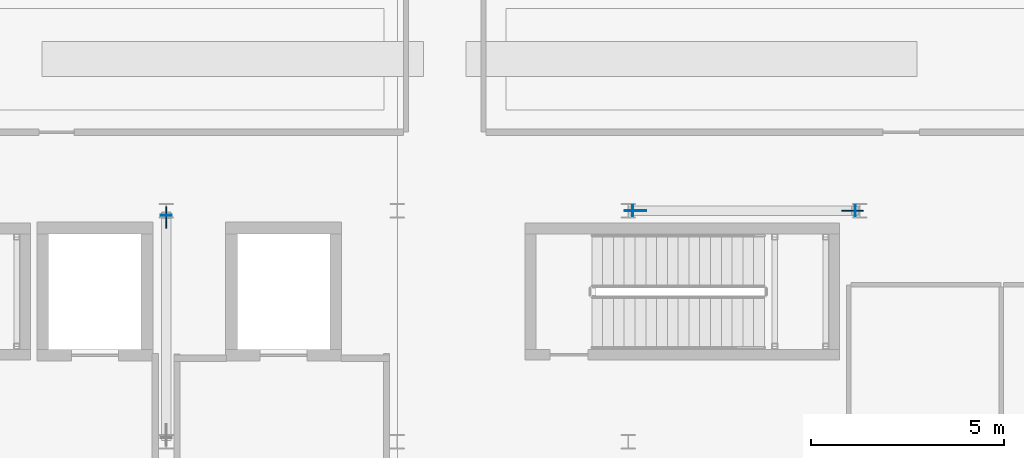
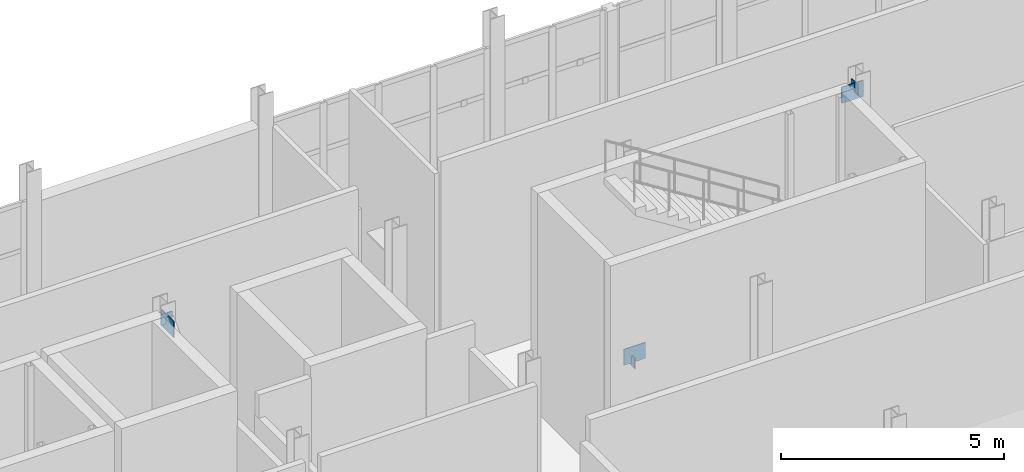
# One storey, part 91 of 120: 6 plates.
"""IFC4 building model written with IfcOpenShell, lengths in metres."""

from ifc_helpers import new_model, si_unit, direction, frame, origin, origin_2d, place, context, subcontext, project, spatial, rectangle, extrude, material, layer, layer_set, type_object, element, save


model = new_model("IFC4")

# Units and contexts
model_context = context("Model", 3, precision=1e-05, world=origin(), true_north=direction((0.0, 1.0)))
body_context = subcontext(model_context, "Body", "Model", "MODEL_VIEW")
ifc_project = project(units=[si_unit("LENGTHUNIT", "METRE"), si_unit("AREAUNIT", "SQUARE_METRE"), si_unit("VOLUMEUNIT", "CUBIC_METRE"), si_unit("PLANEANGLEUNIT", "RADIAN"), si_unit("MASSUNIT", "GRAM", prefix="KILO")], contexts=[model_context])

# Site, building, storey
site_placement = place(None, origin())
site = spatial("IfcSite", under=ifc_project, at=site_placement, CompositionType="ELEMENT")
building_placement = place(site_placement, origin())
building = spatial("IfcBuilding", under=site, at=building_placement, Name="Siltcreek Boulevard Central Fire Station", CompositionType="ELEMENT")
storey_placement = place(building_placement, origin())
storey = spatial("IfcBuildingStorey", under=building, at=storey_placement, Name="L01", CompositionType="ELEMENT", Elevation=0.0)

# Plates
ifc_material = material(Name="Structural steel ASTM A572 Gr50", Category="steel")
ifc_layer_1 = layer(ifc_material, 0.02490234375, Name="Structural steel ASTM A572 Gr50")
ifc_layer_set_1 = layer_set([ifc_layer_1], Name="Structural steel ASTM A572 Gr50")
plate_type_1 = type_object("IfcPlateType", Name="PL_CAP25", PredefinedType="USERDEFINED", material=ifc_layer_set_1)
for number, where, z_axis, x_axis, name in (
    (1, (148.3125, 106.199951171875, -0.05224609375), (0.0, 0.0, 1.0), (1.0, 0.0, 0.0), "L01 buckling-restrained brace BR-026 sealed end cap 1"),
    (2, (154.087646484375, 106.199951171875, 5.412109375), (0.0, 0.0, 1.0), (1.0, 0.0, 0.0), "L01 buckling-restrained brace BR-026 sealed end cap 2"),
    (3, (136.199951171875, 106.087646484375, 5.412109375), (0.0, 0.0, 1.0), (0.0, 1.0, 0.0), "L01 buckling-restrained brace BR-032 sealed end cap 2"),
):
    element("IfcPlate", number, at=place(storey_placement, frame(where, z_axis=z_axis, x_axis=x_axis)), inside=storey, type_object=plate_type_1, Name=name, ObjectType="END CAP", PredefinedType="USERDEFINED", context=body_context, shape_type="SweptSolid", body=[
        extrude(rectangle(XDim=0.02490234375, YDim=0.2900390625, at=origin_2d()), origin(), (0.0, 0.0, 1.0), 0.2900390625),
    ])
ifc_layer_2 = layer(ifc_material, 0.02197265625, Name="Structural steel ASTM A572 Gr50")
ifc_layer_set_2 = layer_set([ifc_layer_2], Name="Structural steel ASTM A572 Gr50")
plate_type_2 = type_object("IfcPlateType", Name="PL_GUS22", PredefinedType="USERDEFINED", material=ifc_layer_set_2)
plate_placement = place(storey_placement, frame((148.3798828125, 106.199951171875, 0.030029296875), z_axis=(0.0, 0.0, 1.0), x_axis=(1.0, 0.0, 0.0)))
element("IfcPlate", 4, at=plate_placement, inside=storey, type_object=plate_type_2, Name="Seismic brace bot gusset plate GP-085", ObjectType="GUSSET PLATE", PredefinedType="USERDEFINED", context=body_context, shape_type="SweptSolid", body=[
    extrude(rectangle(XDim=0.56005859375, YDim=0.02197265625, at=origin_2d()), origin(), (0.0, 0.0, 1.0), 0.43994140625),
])
ifc_layer_3 = layer(ifc_material, 0.028076171875, Name="Structural steel ASTM A572 Gr50")
ifc_layer_set_3 = layer_set([ifc_layer_3], Name="Structural steel ASTM A572 Gr50")
plate_type_3 = type_object("IfcPlateType", Name="PL_GUS28", PredefinedType="USERDEFINED", material=ifc_layer_set_3)
for number, where, z_axis, x_axis, name in (
    (5, (154.02001953125, 106.199951171875, 5.22998046875), (0.0, 0.0, 1.0), (1.0, 0.0, 0.0), "Seismic brace top gusset plate GP-086"),
    (6, (136.199951171875, 106.02001953125, 5.22998046875), (0.0, 0.0, 1.0), (0.0, 1.0, 0.0), "Seismic brace top gusset plate GP-098"),
):
    element("IfcPlate", number, at=place(storey_placement, frame(where, z_axis=z_axis, x_axis=x_axis)), inside=storey, type_object=plate_type_3, Name=name, ObjectType="GUSSET PLATE", PredefinedType="USERDEFINED", context=body_context, shape_type="SweptSolid", body=[
        extrude(rectangle(XDim=0.56005859375, YDim=0.028076171875, at=origin_2d()), origin(), (0.0, 0.0, 1.0), 0.43994140625),
    ])

save(model, "model.ifc")
